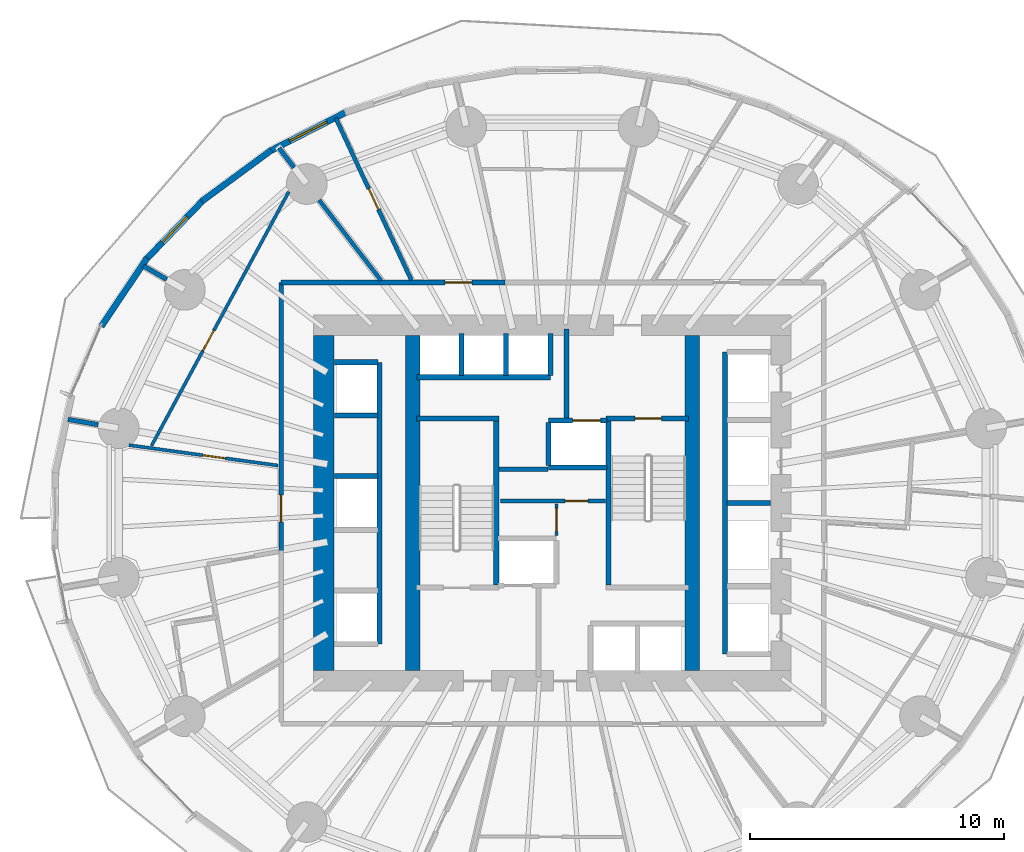
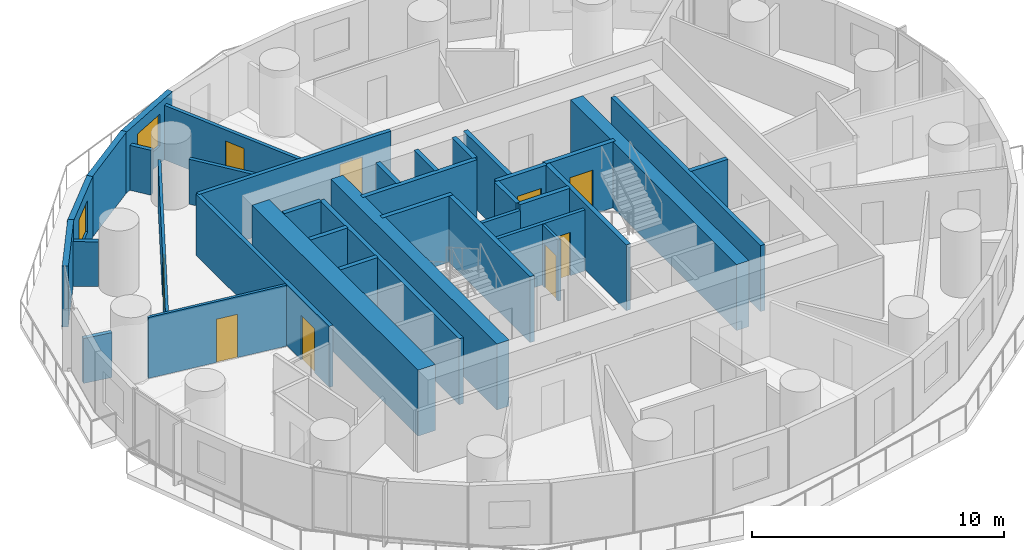
# One storey, part 8 of 14: 37 walls, 9 doors, 2 windows, 11 openings.
"""IFC4 building model written with IfcOpenShell, lengths in metres."""

from ifc_helpers import new_model, si_unit, direction, frame, frame_2d, origin, place, context, subcontext, project, spatial, rectangle, extrude, material, layer, layer_set, type_object, element, fill, save


model = new_model("IFC4")

# Units and contexts
model_context = context("Model", 3, precision=1e-05, world=origin(), true_north=direction((0.0, 1.0)))
body_context = subcontext(model_context, "Body", "Model", "MODEL_VIEW")
ifc_project = project(units=[si_unit("LENGTHUNIT", "METRE"), si_unit("AREAUNIT", "SQUARE_METRE"), si_unit("VOLUMEUNIT", "CUBIC_METRE"), si_unit("PLANEANGLEUNIT", "RADIAN"), si_unit("MASSUNIT", "GRAM", prefix="KILO")], contexts=[model_context])

# Site, building, storey
site_placement = place(None, origin())
site = spatial("IfcSite", under=ifc_project, at=site_placement, CompositionType="ELEMENT")
building_placement = place(site_placement, origin())
building = spatial("IfcBuilding", under=site, at=building_placement, Name="Veldorim Arch Residences", CompositionType="ELEMENT")
storey_placement = place(building_placement, frame((0.0, 0.0, 31.199951171875)))
storey = spatial("IfcBuildingStorey", under=building, at=storey_placement, Name="L08", CompositionType="ELEMENT", Elevation=31.199951171875)

# Wall, opening, door
ifc_material_1 = material(Name="Acoustic Gypsum Board", Category="gypsum")
ifc_layer_1 = layer(ifc_material_1, 0.125, Name="Acoustic Stud Room Partition Wall 125")
ifc_layer_set_1 = layer_set([ifc_layer_1], Name="Acoustic Gypsum Board")
wall_type_1 = type_object("IfcWallType", Name="Acoustic Stud Room Partition Wall 125", PredefinedType="PARTITIONING", material=ifc_layer_set_1)
wall_1_placement = place(storey_placement, frame((32.159912109375, 22.719970703125, 0.0), z_axis=(0.0, 0.0, 1.0), x_axis=(0.0, 1.0, 0.0)))
wall_1 = element("IfcWall", 1, at=wall_1_placement, inside=storey, type_object=wall_type_1, Name="L08 interior wall WL-CA-L08-2", PredefinedType="PARTITIONING", context=body_context, shape_type="SweptSolid", body=[
    extrude(rectangle(XDim=1.25, YDim=0.125, at=frame_2d((0.625, 0.0))), origin(), (0.0, 0.0, 1.0), 2.955078125),
])
opening_1_placement = place(wall_1_placement, frame((0.169921875, 0.0, 0.0)))
opening_1 = element("IfcOpeningElement", 2, at=opening_1_placement, cuts=wall_1, Name="Opening DR-SVC", PredefinedType="OPENING", context=body_context, shape_type="SweptSolid", body=[
    extrude(rectangle(XDim=0.89990234375, YDim=2.10009765625, at=frame_2d((0.449951171875, 1.050048828125))), frame((0.0, 0.072509765625, 0.0), z_axis=(0.0, -1.0, 0.0), x_axis=(1.0, 0.0, 0.0)), (0.0, 0.0, 1.0), 0.14501953125),
])
ifc_material_2 = material(Name="Fire-Rated Steel", Category="steel")
door_type_1 = type_object("IfcDoorType", Name="Riser, Shelter & Plant Room Rated Steel Door 900x2100", OperationType="SINGLE_SWING_LEFT", PredefinedType="DOOR", material=ifc_material_2)
door_1_placement = place(opening_1_placement, origin())
door_1 = element("IfcDoor", 3, at=door_1_placement, inside=storey, type_object=door_type_1, Name="L08 interior door DR-L08-CA2", OperationType="SINGLE_SWING_RIGHT", OverallHeight=2.10009765625, OverallWidth=0.89990234375, PredefinedType="DOOR", context=body_context, shape_type="SweptSolid", body=[
    extrude(rectangle(XDim=0.89990234375, YDim=2.10009765625, at=frame_2d((0.449951171875, 1.050048828125))), frame((0.0, 0.02490234375, 0.0), z_axis=(0.0, -1.0, 0.0), x_axis=(1.0, 0.0, 0.0)), (0.0, 0.0, 1.0), 0.050048828125),
])
fill(opening_1, door_1)

wall_2_placement = place(storey_placement, frame((15.330322265625, 26.280029296875, 0.0), z_axis=(0.0, 0.0, 1.0), x_axis=(0.990775681502, -0.135512172681, 0.0)))
wall_2 = element("IfcWall", 4, at=wall_2_placement, inside=storey, type_object=wall_type_1, Name="L08 interior wall WL-RES-L08-034", PredefinedType="PARTITIONING", context=body_context, shape_type="SweptSolid", body=[
    extrude(rectangle(XDim=5.925537109375, YDim=0.125, at=frame_2d((2.962890625, 0.0))), origin(), (0.0, 0.0, 1.0), 2.955078125),
])
opening_2_placement = place(wall_2_placement, frame((2.928955078125, 0.0, 0.0)))
opening_2 = element("IfcOpeningElement", 5, at=opening_2_placement, cuts=wall_2, Name="Opening DR-INT", PredefinedType="OPENING", context=body_context, shape_type="SweptSolid", body=[
    extrude(rectangle(XDim=0.89990234375, YDim=2.10009765625, at=frame_2d((0.449951171875, 1.050048828125))), frame((0.0, 0.072509765625, 0.0), z_axis=(0.0, -1.0, 0.0), x_axis=(1.0, 0.0, 0.0)), (0.0, 0.0, 1.0), 0.14501953125),
])
ifc_material_3 = material(Name="Engineered Timber", Category="wood")
door_type_2 = type_object("IfcDoorType", Name="Apartment Internal Room Timber Door 900x2100", OperationType="SINGLE_SWING_LEFT", PredefinedType="DOOR", material=ifc_material_3)
door_2_placement = place(opening_2_placement, origin())
door_2 = element("IfcDoor", 6, at=door_2_placement, inside=storey, type_object=door_type_2, Name="L08 interior door DR-RES-L08-024", OperationType="SINGLE_SWING_RIGHT", OverallHeight=2.10009765625, OverallWidth=0.89990234375, PredefinedType="DOOR", context=body_context, shape_type="SweptSolid", body=[
    extrude(rectangle(XDim=0.89990234375, YDim=2.10009765625, at=frame_2d((0.449951171875, 1.050048828125))), frame((0.0, 0.02490234375, 0.0), z_axis=(0.0, -1.0, 0.0), x_axis=(1.0, 0.0, 0.0)), (0.0, 0.0, 1.0), 0.050048828125),
])
fill(opening_2, door_2)

wall_3_placement = place(storey_placement, frame((16.22216796875, 26.25244140625, 0.0), z_axis=(0.0, 0.0, 1.0), x_axis=(0.475374660533, 0.879783457519, 0.0)))
wall_3 = element("IfcWall", 7, at=wall_3_placement, inside=storey, type_object=wall_type_1, Name="L08 interior wall WL-RES-L08-037", PredefinedType="PARTITIONING", context=body_context, shape_type="SweptSolid", body=[
    extrude(rectangle(XDim=11.3701171875, YDim=0.125, at=frame_2d((5.68505859375, 0.0))), origin(), (0.0, 0.0, 1.0), 2.327880859375),
])
opening_3_placement = place(wall_3_placement, frame((4.2548828125, 0.0, 0.0)))
opening_3 = element("IfcOpeningElement", 8, at=opening_3_placement, cuts=wall_3, Name="Opening DR-INT", PredefinedType="OPENING", context=body_context, shape_type="SweptSolid", body=[
    extrude(rectangle(XDim=0.89990234375, YDim=2.10009765625, at=frame_2d((0.449951171875, 1.050048828125))), frame((0.0, 0.072509765625, 0.0), z_axis=(0.0, -1.0, 0.0), x_axis=(1.0, 0.0, 0.0)), (0.0, 0.0, 1.0), 0.14501953125),
])
door_3_placement = place(opening_3_placement, origin())
door_3 = element("IfcDoor", 9, at=door_3_placement, inside=storey, type_object=door_type_2, Name="L08 interior door DR-RES-L08-025", OperationType="SINGLE_SWING_LEFT", OverallHeight=2.10009765625, OverallWidth=0.89990234375, PredefinedType="DOOR", context=body_context, shape_type="SweptSolid", body=[
    extrude(rectangle(XDim=0.89990234375, YDim=2.10009765625, at=frame_2d((0.449951171875, 1.050048828125))), frame((0.0, 0.02490234375, 0.0), z_axis=(0.0, -1.0, 0.0), x_axis=(1.0, 0.0, 0.0)), (0.0, 0.0, 1.0), 0.050048828125),
])
fill(opening_3, door_3)

# Walls
ifc_material_4 = material(Name="Lightweight Masonry Block & Gypsum", Category="masonry")
ifc_layer_2 = layer(ifc_material_4, 0.179931640625, Name="Compartment & Corridor Fire-Rated Party Wall 180")
ifc_layer_set_2 = layer_set([ifc_layer_2], Name="Lightweight Masonry Block & Gypsum")
wall_type_2 = type_object("IfcWallType", Name="Compartment & Corridor Fire-Rated Party Wall 180", PredefinedType="PARTITIONING", material=ifc_layer_set_2)
wall_4_placement = place(storey_placement, frame((21.832763671875, 37.204833984375, 0.0), z_axis=(0.0, 0.0, 1.0), x_axis=(-0.609953343804, 0.792437327732, 0.0)))
element("IfcWall", 10, at=wall_4_placement, inside=storey, type_object=wall_type_2, Name="L08 interior wall WL-PIER-L08-06", PredefinedType="PARTITIONING", context=body_context, shape_type="SweptSolid", body=[
    extrude(rectangle(XDim=0.97265625, YDim=0.179931640625, at=frame_2d((0.486328125, 0.0))), origin(), (0.0, 0.0, 1.0), 2.17822265625),
])
wall_5_placement = place(storey_placement, frame((16.822998046875, 32.80029296875, 0.0), z_axis=(0.0, 0.0, 1.0), x_axis=(-0.865001274409, 0.501769663562, 0.0)))
element("IfcWall", 11, at=wall_5_placement, inside=storey, type_object=wall_type_2, Name="L08 interior wall WL-PIER-L08-07", PredefinedType="PARTITIONING", context=body_context, shape_type="SweptSolid", body=[
    extrude(rectangle(XDim=1.062744140625, YDim=0.179931640625, at=frame_2d((0.53125, 0.0))), origin(), (0.0, 0.0, 1.0), 2.17822265625),
])
wall_6_placement = place(storey_placement, frame((14.126220703125, 27.08544921875, 0.0), z_axis=(0.0, 0.0, 1.0), x_axis=(-0.985412344637, 0.170183756676, 0.0)))
element("IfcWall", 12, at=wall_6_placement, inside=storey, type_object=wall_type_2, Name="L08 interior wall WL-PIER-L08-08", PredefinedType="PARTITIONING", context=body_context, shape_type="SweptSolid", body=[
    extrude(rectangle(XDim=1.210693359375, YDim=0.179931640625, at=frame_2d((0.60546875, 0.0))), origin(), (0.0, 0.0, 1.0), 2.17822265625),
])

# Wall, opening, door
wall_7_placement = place(storey_placement, frame((21.320068359375, 32.679931640625, 0.0), z_axis=(0.0, 0.0, 1.0), x_axis=(1.0, 0.0, 0.0)))
wall_7 = element("IfcWall", 13, at=wall_7_placement, inside=storey, type_object=wall_type_2, Name="L08 interior wall WL-RES-L08-006", PredefinedType="PARTITIONING", context=body_context, shape_type="SweptSolid", body=[
    extrude(rectangle(XDim=8.822509765625, YDim=0.179931640625, at=frame_2d((4.4111328125, 0.0))), origin(), (0.0, 0.0, 1.0), 2.955078125),
])
opening_4_placement = place(wall_7_placement, frame((6.461669921875, 0.0, 0.0)))
opening_4 = element("IfcOpeningElement", 14, at=opening_4_placement, cuts=wall_7, Name="Opening DR-FLT", PredefinedType="OPENING", context=body_context, shape_type="SweptSolid", body=[
    extrude(rectangle(XDim=1.050048828125, YDim=2.14990234375, at=frame_2d((0.52490234375, 1.074951171875))), frame((0.0, 0.099853515625, 0.0), z_axis=(0.0, -1.0, 0.0), x_axis=(1.0, 0.0, 0.0)), (0.0, 0.0, 1.0), 0.199951171875),
])
ifc_material_5 = material(Name="Fire-Rated Timber", Category="wood")
door_type_3 = type_object("IfcDoorType", Name="Apartment Entrance Solid-Core Fire Door 1050x2150", OperationType="SINGLE_SWING_LEFT", PredefinedType="DOOR", material=ifc_material_5)
door_4_placement = place(opening_4_placement, origin())
door_4 = element("IfcDoor", 15, at=door_4_placement, inside=storey, type_object=door_type_3, Name="L08 interior door DR-RES-L08-018", OperationType="SINGLE_SWING_RIGHT", OverallHeight=2.14990234375, OverallWidth=1.050048828125, PredefinedType="DOOR", context=body_context, shape_type="SweptSolid", body=[
    extrude(rectangle(XDim=1.050048828125, YDim=2.14990234375, at=frame_2d((0.52490234375, 1.074951171875))), frame((0.0, 0.02490234375, 0.0), z_axis=(0.0, -1.0, 0.0), x_axis=(1.0, 0.0, 0.0)), (0.0, 0.0, 1.0), 0.050048828125),
])
fill(opening_4, door_4)

wall_8_placement = place(storey_placement, frame((21.320068359375, 22.090087890625, 0.0), z_axis=(0.0, 0.0, 1.0), x_axis=(0.0, 1.0, 0.0)))
wall_8 = element("IfcWall", 16, at=wall_8_placement, inside=storey, type_object=wall_type_2, Name="L08 interior wall WL-RES-L08-007", PredefinedType="PARTITIONING", context=body_context, shape_type="SweptSolid", body=[
    extrude(rectangle(XDim=10.58984375, YDim=0.179931640625, at=frame_2d((5.294921875, 0.0))), origin(), (0.0, 0.0, 1.0), 2.955078125),
])
opening_5_placement = place(wall_8_placement, frame((1.17041015625, 0.0, 0.0)))
opening_5 = element("IfcOpeningElement", 17, at=opening_5_placement, cuts=wall_8, Name="Opening DR-FLT", PredefinedType="OPENING", context=body_context, shape_type="SweptSolid", body=[
    extrude(rectangle(XDim=1.050048828125, YDim=2.14990234375, at=frame_2d((0.52490234375, 1.074951171875))), frame((0.0, 0.099853515625, 0.0), z_axis=(0.0, -1.0, 0.0), x_axis=(1.0, 0.0, 0.0)), (0.0, 0.0, 1.0), 0.199951171875),
])
door_5_placement = place(opening_5_placement, origin())
door_5 = element("IfcDoor", 18, at=door_5_placement, inside=storey, type_object=door_type_3, Name="L08 interior door DR-RES-L08-022", OperationType="SINGLE_SWING_RIGHT", OverallHeight=2.14990234375, OverallWidth=1.050048828125, PredefinedType="DOOR", context=body_context, shape_type="SweptSolid", body=[
    extrude(rectangle(XDim=1.050048828125, YDim=2.14990234375, at=frame_2d((0.52490234375, 1.074951171875))), frame((0.0, 0.02490234375, 0.0), z_axis=(0.0, -1.0, 0.0), x_axis=(1.0, 0.0, 0.0)), (0.0, 0.0, 1.0), 0.050048828125),
])
fill(opening_5, door_5)

# Walls
ifc_material_6 = material(Name="Concrete C50/60", Category="concrete")
ifc_layer_3 = layer(ifc_material_6, 0.199951171875, Name="Core Stair & Lift Shaft Enclosure Wall 200")
ifc_layer_set_3 = layer_set([ifc_layer_3], Name="Concrete C50/60")
wall_type_3 = type_object("IfcWallType", Name="Core Stair & Lift Shaft Enclosure Wall 200", PredefinedType="SHEAR", material=ifc_layer_set_3)
wall_9_placement = place(storey_placement, frame((29.7900390625, 20.780029296875, 0.0), z_axis=(0.0, 0.0, 1.0), x_axis=(0.0, 1.0, 0.0)))
element("IfcWall", 19, at=wall_9_placement, inside=storey, type_object=wall_type_3, Name="L08 shaft wall WL-SHF-L08-ST1-E", PredefinedType="SHEAR", context=body_context, shape_type="SweptSolid", body=[
    extrude(rectangle(XDim=6.43994140625, YDim=0.199951171875, at=frame_2d((3.219970703125, 0.0))), origin(), (0.0, 0.0, 1.0), 3.199951171875),
])
wall_10_placement = place(storey_placement, frame((26.64990234375, 27.330078125, 0.0), z_axis=(0.0, 0.0, 1.0), x_axis=(1.0, 0.0, 0.0)))
element("IfcWall", 20, at=wall_10_placement, inside=storey, type_object=wall_type_3, Name="L08 shaft wall WL-SHF-L08-ST1-N", PredefinedType="SHEAR", context=body_context, shape_type="SweptSolid", body=[
    extrude(rectangle(XDim=3.239990234375, YDim=0.199951171875, at=frame_2d((1.6201171875, 0.0))), origin(), (0.0, 0.0, 1.0), 3.199951171875),
])
wall_11_placement = place(storey_placement, frame((34.2099609375, 20.780029296875, 0.0), z_axis=(0.0, 0.0, 1.0), x_axis=(0.0, 1.0, 0.0)))
element("IfcWall", 21, at=wall_11_placement, inside=storey, type_object=wall_type_3, Name="L08 shaft wall WL-SHF-L08-ST2-W", PredefinedType="SHEAR", context=body_context, shape_type="SweptSolid", body=[
    extrude(rectangle(XDim=6.43994140625, YDim=0.199951171875, at=frame_2d((3.219970703125, 0.0))), origin(), (0.0, 0.0, 1.0), 3.199951171875),
])

# Wall, opening, door
wall_12_placement = place(storey_placement, frame((34.110107421875, 27.330078125, 0.0), z_axis=(0.0, 0.0, 1.0), x_axis=(1.0, 0.0, 0.0)))
wall_12 = element("IfcWall", 22, at=wall_12_placement, inside=storey, type_object=wall_type_3, Name="L08 shaft wall WL-SHF-L08-ST2-N", PredefinedType="SHEAR", context=body_context, shape_type="SweptSolid", body=[
    extrude(rectangle(XDim=3.239990234375, YDim=0.199951171875, at=frame_2d((1.6201171875, 0.0))), origin(), (0.0, 0.0, 1.0), 3.199951171875),
])
opening_6_placement = place(wall_12_placement, frame((1.135009765625, 0.0, 0.0)))
opening_6 = element("IfcOpeningElement", 23, at=opening_6_placement, cuts=wall_12, Name="Opening DR-ST", PredefinedType="OPENING", context=body_context, shape_type="SweptSolid", body=[
    extrude(rectangle(XDim=1.050048828125, YDim=2.14990234375, at=frame_2d((0.52490234375, 1.074951171875))), frame((0.0, 0.10986328125, 0.0), z_axis=(0.0, -1.0, 0.0), x_axis=(1.0, 0.0, 0.0)), (0.0, 0.0, 1.0), 0.219970703125),
])
ifc_material_7 = material(Name="Fire-Rated Steel", Category="steel")
door_type_4 = type_object("IfcDoorType", Name="Exit Staircase Self-Closing Fire Door 1050x2150", OperationType="SINGLE_SWING_LEFT", PredefinedType="DOOR", material=ifc_material_7)
door_6_placement = place(opening_6_placement, origin())
door_6 = element("IfcDoor", 24, at=door_6_placement, inside=storey, type_object=door_type_4, Name="L08 interior door DR-L08-ST2", OperationType="SINGLE_SWING_RIGHT", OverallHeight=2.14990234375, OverallWidth=1.050048828125, PredefinedType="DOOR", context=body_context, shape_type="SweptSolid", body=[
    extrude(rectangle(XDim=1.050048828125, YDim=2.14990234375, at=frame_2d((0.52490234375, 1.074951171875))), frame((0.0, 0.02490234375, 0.0), z_axis=(0.0, -1.0, 0.0), x_axis=(1.0, 0.0, 0.0)), (0.0, 0.0, 1.0), 0.050048828125),
])
fill(opening_6, door_6)

# Wall
wall_13_placement = place(storey_placement, frame((32.550048828125, 27.35009765625, 0.0), z_axis=(0.0, 0.0, 1.0), x_axis=(0.0, 1.0, 0.0)))
element("IfcWall", 25, at=wall_13_placement, inside=storey, type_object=wall_type_3, Name="L08 shaft wall WL-FFL2-L08-W", PredefinedType="SHEAR", context=body_context, shape_type="SweptSolid", body=[
    extrude(rectangle(XDim=3.5, YDim=0.199951171875, at=frame_2d((1.75, 0.0))), origin(), (0.0, 0.0, 1.0), 3.199951171875),
])

# Wall, opening, door
wall_14_placement = place(storey_placement, frame((31.85009765625, 27.25, 0.0), z_axis=(0.0, 0.0, 1.0), x_axis=(1.0, 0.0, 0.0)))
wall_14 = element("IfcWall", 26, at=wall_14_placement, inside=storey, type_object=wall_type_3, Name="L08 shaft wall WL-FL02-L08-N", PredefinedType="SHEAR", context=body_context, shape_type="SweptSolid", body=[
    extrude(rectangle(XDim=2.2998046875, YDim=0.199951171875, at=frame_2d((1.14990234375, 0.0))), origin(), (0.0, 0.0, 1.0), 3.199951171875),
])
opening_7_placement = place(wall_14_placement, frame((0.949951171875, 0.0, 0.0)))
opening_7 = element("IfcOpeningElement", 27, at=opening_7_placement, cuts=wall_14, Name="Opening LD-FF", PredefinedType="OPENING", context=body_context, shape_type="SweptSolid", body=[
    extrude(rectangle(XDim=1.10009765625, YDim=2.14990234375, at=frame_2d((0.550048828125, 1.074951171875))), frame((0.0, 0.10986328125, 0.0), z_axis=(0.0, -1.0, 0.0), x_axis=(1.0, 0.0, 0.0)), (0.0, 0.0, 1.0), 0.219970703125),
])
ifc_material_8 = material(Name="Stainless Steel", Category="steel")
door_type_5 = type_object("IfcDoorType", Name="Firefighting Lift Bi-Parting Sliding Landing Door 1100x2150", OperationType="DOUBLE_DOOR_SLIDING", PredefinedType="DOOR", material=ifc_material_8)
door_7_placement = place(opening_7_placement, origin())
door_7 = element("IfcDoor", 28, at=door_7_placement, inside=storey, type_object=door_type_5, Name="L08 lift landing door LD-L08-FL02", OperationType="DOUBLE_DOOR_SLIDING", OverallHeight=2.14990234375, OverallWidth=1.10009765625, PredefinedType="DOOR", context=body_context, shape_type="SweptSolid", body=[
    extrude(rectangle(XDim=1.10009765625, YDim=2.14990234375, at=frame_2d((0.550048828125, 1.074951171875))), frame((0.0, 0.02490234375, 0.0), z_axis=(0.0, -1.0, 0.0), x_axis=(1.0, 0.0, 0.0)), (0.0, 0.0, 1.0), 0.050048828125),
])
fill(opening_7, door_7)

# Walls
wall_15_placement = place(storey_placement, frame((31.85009765625, 25.39990234375, 0.0), z_axis=(0.0, 0.0, 1.0), x_axis=(1.0, 0.0, 0.0)))
element("IfcWall", 29, at=wall_15_placement, inside=storey, type_object=wall_type_3, Name="L08 shaft wall WL-FL02-L08-S", PredefinedType="SHEAR", context=body_context, shape_type="SweptSolid", body=[
    extrude(rectangle(XDim=2.2998046875, YDim=0.199951171875, at=frame_2d((1.14990234375, 0.0))), origin(), (0.0, 0.0, 1.0), 3.199951171875),
])
wall_16_placement = place(storey_placement, frame((31.85009765625, 25.469970703125, 0.0), z_axis=(0.0, 0.0, 1.0), x_axis=(0.0, 1.0, 0.0)))
element("IfcWall", 30, at=wall_16_placement, inside=storey, type_object=wall_type_3, Name="L08 shaft wall WL-FL02-L08-W", PredefinedType="SHEAR", context=body_context, shape_type="SweptSolid", body=[
    extrude(rectangle(XDim=1.7099609375, YDim=0.199951171875, at=frame_2d((0.85498046875, 0.0))), origin(), (0.0, 0.0, 1.0), 3.199951171875),
])
wall_17_placement = place(storey_placement, frame((38.800048828125, 18.06005859375, 0.0), z_axis=(0.0, 0.0, 1.0), x_axis=(0.0, 1.0, 0.0)))
element("IfcWall", 31, at=wall_17_placement, inside=storey, type_object=wall_type_3, Name="L08 shaft wall WL-B1-L08-W", PredefinedType="SHEAR", context=body_context, shape_type="SweptSolid", body=[
    extrude(rectangle(XDim=11.8798828125, YDim=0.199951171875, at=frame_2d((5.93994140625, 0.0))), origin(), (0.0, 0.0, 1.0), 3.199951171875),
])
wall_18_placement = place(storey_placement, frame((38.8701171875, 24.0, 0.0), z_axis=(0.0, 0.0, 1.0), x_axis=(1.0, 0.0, 0.0)))
element("IfcWall", 32, at=wall_18_placement, inside=storey, type_object=wall_type_3, Name="L08 shaft wall WL-B1-L08-D2", PredefinedType="SHEAR", context=body_context, shape_type="SweptSolid", body=[
    extrude(rectangle(XDim=1.7099609375, YDim=0.199951171875, at=frame_2d((0.85498046875, 0.0))), origin(), (0.0, 0.0, 1.0), 3.199951171875),
])
wall_19_placement = place(storey_placement, frame((25.199951171875, 18.4599609375, 0.0), z_axis=(0.0, 0.0, 1.0), x_axis=(0.0, 1.0, 0.0)))
element("IfcWall", 33, at=wall_19_placement, inside=storey, type_object=wall_type_3, Name="L08 shaft wall WL-B2-L08-E", PredefinedType="SHEAR", context=body_context, shape_type="SweptSolid", body=[
    extrude(rectangle(XDim=11.080078125, YDim=0.199951171875, at=frame_2d((5.5400390625, 0.0))), origin(), (0.0, 0.0, 1.0), 3.199951171875),
])
for number, where, z_axis, x_axis, name in (
    (34, (23.419921875, 29.5400390625, 0.0), (0.0, 0.0, 1.0), (1.0, 0.0, 0.0), "L08 shaft wall WL-B2-L08-N"),
    (35, (23.419921875, 25.06005859375, 0.0), (0.0, 0.0, 1.0), (1.0, 0.0, 0.0), "L08 shaft wall WL-B2-L08-D2A"),
    (36, (23.419921875, 27.43994140625, 0.0), (0.0, 0.0, 1.0), (1.0, 0.0, 0.0), "L08 shaft wall WL-B2-L08-D2B"),
):
    element("IfcWall", number, at=place(storey_placement, frame(where, z_axis=z_axis, x_axis=x_axis)), inside=storey, type_object=wall_type_3, Name=name, PredefinedType="SHEAR", context=body_context, shape_type="SweptSolid", body=[
        extrude(rectangle(XDim=1.7099609375, YDim=0.199951171875, at=frame_2d((0.85498046875, 0.0))), origin(), (0.0, 0.0, 1.0), 3.199951171875),
    ])
wall_20_placement = place(storey_placement, frame((26.679931640625, 28.949951171875, 0.0), z_axis=(0.0, 0.0, 1.0), x_axis=(1.0, 0.0, 0.0)))
element("IfcWall", 37, at=wall_20_placement, inside=storey, type_object=wall_type_3, Name="L08 shaft wall WL-B3-L08-S", PredefinedType="SHEAR", context=body_context, shape_type="SweptSolid", body=[
    extrude(rectangle(XDim=5.239990234375, YDim=0.199951171875, at=frame_2d((2.6201171875, 0.0))), origin(), (0.0, 0.0, 1.0), 3.199951171875),
])
for number, where, z_axis, x_axis, name in (
    (38, (31.919921875, 29.02001953125, 0.0), (0.0, 0.0, 1.0), (0.0, 1.0, 0.0), "L08 shaft wall WL-B3-L08-E"),
    (39, (28.425048828125, 29.02001953125, 0.0), (0.0, 0.0, 1.0), (0.0, 1.0, 0.0), "L08 shaft wall WL-B3-L08-D1"),
    (40, (30.175048828125, 29.02001953125, 0.0), (0.0, 0.0, 1.0), (0.0, 1.0, 0.0), "L08 shaft wall WL-B3-L08-D2"),
):
    element("IfcWall", number, at=place(storey_placement, frame(where, z_axis=z_axis, x_axis=x_axis)), inside=storey, type_object=wall_type_3, Name=name, PredefinedType="SHEAR", context=body_context, shape_type="SweptSolid", body=[
        extrude(rectangle(XDim=1.659912109375, YDim=0.199951171875, at=frame_2d((0.830078125, 0.0))), origin(), (0.0, 0.0, 1.0), 3.199951171875),
    ])
ifc_material_9 = material(Name="Concrete C60/75", Category="concrete")
ifc_layer_4 = layer(ifc_material_9, 0.56005859375, Name="Internal Core Shear Web Wall 560")
ifc_layer_set_4 = layer_set([ifc_layer_4], Name="Concrete C60/75")
wall_type_4 = type_object("IfcWallType", Name="Internal Core Shear Web Wall 560", PredefinedType="SHEAR", material=ifc_layer_set_4)
for number, where, z_axis, x_axis, name in (
    (41, (26.5, 17.39990234375, 0.0), (0.0, 0.0, 1.0), (0.0, 1.0, 0.0), "L08 core west internal shear web"),
    (42, (37.5, 17.39990234375, 0.0), (0.0, 0.0, 1.0), (0.0, 1.0, 0.0), "L08 core east internal shear web"),
):
    element("IfcWall", number, at=place(storey_placement, frame(where, z_axis=z_axis, x_axis=x_axis)), inside=storey, type_object=wall_type_4, Name=name, PredefinedType="SHEAR", context=body_context, shape_type="SweptSolid", body=[
        extrude(rectangle(XDim=13.2001953125, YDim=0.56005859375, at=frame_2d((6.60009765625, 0.0))), origin(), (0.0, 0.0, 1.0), 3.199951171875),
    ])
ifc_material_10 = material(Name="Concrete C60/75", Category="concrete")
ifc_layer_5 = layer(ifc_material_10, 0.800048828125, Name="Lower Central Core Shear Wall 800")
ifc_layer_set_5 = layer_set([ifc_layer_5], Name="Concrete C60/75")
wall_type_5 = type_object("IfcWallType", Name="Lower Central Core Shear Wall 800", PredefinedType="SHEAR", material=ifc_layer_set_5)
wall_21_placement = place(storey_placement, frame((23.0, 17.39990234375, 0.0), z_axis=(0.0, 0.0, 1.0), x_axis=(0.0, 1.0, 0.0)))
element("IfcWall", 43, at=wall_21_placement, inside=storey, type_object=wall_type_5, Name="L08 central core west shear wall", PredefinedType="SHEAR", context=body_context, shape_type="SweptSolid", body=[
    extrude(rectangle(XDim=13.2001953125, YDim=0.800048828125, at=frame_2d((6.60009765625, 0.0))), origin(), (0.0, 0.0, 1.0), 3.199951171875),
])

# Wall, opening, window
ifc_material_11 = material(Name="Precast concrete C40/50", Category="concrete")
ifc_layer_6 = layer(ifc_material_11, 0.25, Name="Tower Terracotta Spandrel & Pier Wall 250")
ifc_layer_set_6 = layer_set([ifc_layer_6], Name="Precast concrete C40/50")
wall_type_6 = type_object("IfcWallType", Name="Tower Terracotta Spandrel & Pier Wall 250", PredefinedType="SOLIDWALL", material=ifc_layer_set_6)
wall_22_placement = place(storey_placement, frame((20.8466796875, 37.83642578125, 0.0), z_axis=(0.0, 0.0, 1.0), x_axis=(0.890260122421, 0.455452428281, 0.0)))
wall_22 = element("IfcWall", 44, at=wall_22_placement, inside=storey, type_object=wall_type_6, Name="L08 terracotta facade wall 12", PredefinedType="SOLIDWALL", context=body_context, shape_type="SweptSolid", body=[
    extrude(rectangle(XDim=3.46484375, YDim=0.25, at=frame_2d((1.732421875, 0.0))), origin(), (0.0, 0.0, 1.0), 2.9599609375),
])
opening_8_placement = place(wall_22_placement, frame((0.906982421875, 0.0, 0.85009765625)))
opening_8 = element("IfcOpeningElement", 45, at=opening_8_placement, cuts=wall_22, Name="Opening WN-03", PredefinedType="OPENING", context=body_context, shape_type="SweptSolid", body=[
    extrude(rectangle(XDim=1.64990234375, YDim=1.550048828125, at=frame_2d((0.824951171875, 0.77490234375))), frame((0.0, 0.135009765625, 0.0), z_axis=(0.0, -1.0, 0.0), x_axis=(1.0, 0.0, 0.0)), (0.0, 0.0, 1.0), 0.27001953125),
])
ifc_material_12 = material(Name="Laminated Low-E Glass", Category="glass")
window_type_1 = type_object("IfcWindowType", Name="Residential Wide Window 1650x1550", PartitioningType="SINGLE_PANEL", PredefinedType="WINDOW", material=ifc_material_12)
window_1_placement = place(opening_8_placement, origin())
window_1 = element("IfcWindow", 46, at=window_1_placement, inside=storey, type_object=window_type_1, Name="L08 solar-control facade window 12", OverallHeight=1.550048828125, OverallWidth=1.64990234375, PartitioningType="SINGLE_PANEL", PredefinedType="WINDOW", context=body_context, shape_type="SweptSolid", body=[
    extrude(rectangle(XDim=1.64990234375, YDim=1.550048828125, at=frame_2d((0.824951171875, 0.77490234375))), frame((0.0, 0.030029296875, 0.0), z_axis=(0.0, -1.0, 0.0), x_axis=(1.0, 0.0, 0.0)), (0.0, 0.0, 1.0), 0.06005859375),
])
fill(opening_8, window_1)

# Wall
wall_23_placement = place(storey_placement, frame((18.202392578125, 35.879638671875, 0.0), z_axis=(0.0, 0.0, 1.0), x_axis=(0.805405938507, 0.592723606935, 0.0)))
element("IfcWall", 47, at=wall_23_placement, inside=storey, type_object=wall_type_6, Name="L08 terracotta facade wall 13", PredefinedType="SOLIDWALL", context=body_context, shape_type="SweptSolid", body=[
    extrude(rectangle(XDim=3.39892578125, YDim=0.25, at=frame_2d((1.699462890625, 0.0))), origin(), (0.0, 0.0, 1.0), 2.9599609375),
])

# Wall, opening, window
wall_24_placement = place(storey_placement, frame((15.978515625, 33.5615234375, 0.0), z_axis=(0.0, 0.0, 1.0), x_axis=(0.694392538781, 0.719596416115, 0.0)))
wall_24 = element("IfcWall", 48, at=wall_24_placement, inside=storey, type_object=wall_type_6, Name="L08 terracotta facade wall 14", PredefinedType="SOLIDWALL", context=body_context, shape_type="SweptSolid", body=[
    extrude(rectangle(XDim=3.322509765625, YDim=0.25, at=frame_2d((1.6611328125, 0.0))), origin(), (0.0, 0.0, 1.0), 2.9599609375),
])
opening_9_placement = place(wall_24_placement, frame((0.9609375, 0.0, 0.85009765625)))
opening_9 = element("IfcOpeningElement", 49, at=opening_9_placement, cuts=wall_24, Name="Opening WN-02", PredefinedType="OPENING", context=body_context, shape_type="SweptSolid", body=[
    extrude(rectangle(XDim=1.39990234375, YDim=1.550048828125, at=frame_2d((0.699951171875, 0.77490234375))), frame((0.0, 0.135009765625, 0.0), z_axis=(0.0, -1.0, 0.0), x_axis=(1.0, 0.0, 0.0)), (0.0, 0.0, 1.0), 0.27001953125),
])
ifc_material_13 = material(Name="Laminated Low-E Glass", Category="glass")
window_type_2 = type_object("IfcWindowType", Name="Residential Casement Window 1400x1550", PartitioningType="SINGLE_PANEL", PredefinedType="WINDOW", material=ifc_material_13)
window_2_placement = place(opening_9_placement, origin())
window_2 = element("IfcWindow", 50, at=window_2_placement, inside=storey, type_object=window_type_2, Name="L08 solar-control facade window 14", OverallHeight=1.550048828125, OverallWidth=1.39990234375, PartitioningType="SINGLE_PANEL", PredefinedType="WINDOW", context=body_context, shape_type="SweptSolid", body=[
    extrude(rectangle(XDim=1.39990234375, YDim=1.550048828125, at=frame_2d((0.699951171875, 0.77490234375))), frame((0.0, 0.030029296875, 0.0), z_axis=(0.0, -1.0, 0.0), x_axis=(1.0, 0.0, 0.0)), (0.0, 0.0, 1.0), 0.06005859375),
])
fill(opening_9, window_2)

# Wall
wall_25_placement = place(storey_placement, frame((14.2421875, 30.953369140625, 0.0), z_axis=(0.0, 0.0, 1.0), x_axis=(0.556764929833, 0.83067009872, 0.0)))
element("IfcWall", 51, at=wall_25_placement, inside=storey, type_object=wall_type_6, Name="L08 terracotta facade wall 15", PredefinedType="SOLIDWALL", context=body_context, shape_type="SweptSolid", body=[
    extrude(rectangle(XDim=3.244384765625, YDim=0.25, at=frame_2d((1.6220703125, 0.0))), origin(), (0.0, 0.0, 1.0), 2.9599609375),
])

# Wall, opening, door
ifc_material_14 = material(Name="Moisture-Resistant Gypsum & Stud", Category="gypsum")
ifc_layer_7 = layer(ifc_material_14, 0.159912109375, Name="Wet-Area Moisture-Resistant Plumbing Wall 160")
ifc_layer_set_7 = layer_set([ifc_layer_7], Name="Moisture-Resistant Gypsum & Stud")
wall_type_7 = type_object("IfcWallType", Name="Wet-Area Moisture-Resistant Plumbing Wall 160", PredefinedType="PLUMBINGWALL", material=ifc_layer_set_7)
wall_26_placement = place(storey_placement, frame((29.949951171875, 24.080078125, 0.0), z_axis=(0.0, 0.0, 1.0), x_axis=(1.0, 0.0, 0.0)))
wall_26 = element("IfcWall", 52, at=wall_26_placement, inside=storey, type_object=wall_type_7, Name="L08 interior wall WL-CA-L08-1", PredefinedType="PLUMBINGWALL", context=body_context, shape_type="SweptSolid", body=[
    extrude(rectangle(XDim=4.130126953125, YDim=0.159912109375, at=frame_2d((2.06494140625, 0.0))), origin(), (0.0, 0.0, 1.0), 2.955078125),
])
opening_10_placement = place(wall_26_placement, frame((2.550048828125, 0.0, 0.0)))
opening_10 = element("IfcOpeningElement", 53, at=opening_10_placement, cuts=wall_26, Name="Opening DR-WC", PredefinedType="OPENING", context=body_context, shape_type="SweptSolid", body=[
    extrude(rectangle(XDim=0.89990234375, YDim=2.10009765625, at=frame_2d((0.449951171875, 1.050048828125))), frame((0.0, 0.08984375, 0.0), z_axis=(0.0, -1.0, 0.0), x_axis=(1.0, 0.0, 0.0)), (0.0, 0.0, 1.0), 0.179931640625),
])
ifc_material_15 = material(Name="Laminate Timber", Category="wood")
door_type_6 = type_object("IfcDoorType", Name="Bathroom & Accessible WC Moisture-Sealed Door 900x2100", OperationType="SINGLE_SWING_LEFT", PredefinedType="DOOR", material=ifc_material_15)
door_8_placement = place(opening_10_placement, origin())
door_8 = element("IfcDoor", 54, at=door_8_placement, inside=storey, type_object=door_type_6, Name="L08 interior door DR-L08-CA1", OperationType="SINGLE_SWING_LEFT", OverallHeight=2.10009765625, OverallWidth=0.89990234375, PredefinedType="DOOR", context=body_context, shape_type="SweptSolid", body=[
    extrude(rectangle(XDim=0.89990234375, YDim=2.10009765625, at=frame_2d((0.449951171875, 1.050048828125))), frame((0.0, 0.02490234375, 0.0), z_axis=(0.0, -1.0, 0.0), x_axis=(1.0, 0.0, 0.0)), (0.0, 0.0, 1.0), 0.050048828125),
])
fill(opening_10, door_8)

# Wall
wall_27_placement = place(storey_placement, frame((29.889892578125, 25.330078125, 0.0), z_axis=(0.0, 0.0, 1.0), x_axis=(1.0, 0.0, 0.0)))
element("IfcWall", 55, at=wall_27_placement, inside=storey, type_object=wall_type_7, Name="L08 interior wall WL-CA-L08-N", PredefinedType="PLUMBINGWALL", context=body_context, shape_type="SweptSolid", body=[
    extrude(rectangle(XDim=1.940185546875, YDim=0.159912109375, at=frame_2d((0.97021484375, 0.0))), origin(), (0.0, 0.0, 1.0), 2.955078125),
])

# Wall, opening, door
wall_28_placement = place(storey_placement, frame((26.450439453125, 32.7705078125, 0.0), z_axis=(0.0, 0.0, 1.0), x_axis=(-0.422745211231, 0.906248578692, 0.0)))
wall_28 = element("IfcWall", 56, at=wall_28_placement, inside=storey, type_object=wall_type_7, Name="L08 interior wall WL-RES-L08-028", PredefinedType="PLUMBINGWALL", context=body_context, shape_type="SweptSolid", body=[
    extrude(rectangle(XDim=7.052001953125, YDim=0.159912109375, at=frame_2d((3.52587890625, 0.0))), origin(), (0.0, 0.0, 1.0), 2.641357421875),
])
opening_11_placement = place(wall_28_placement, frame((3.075927734375, 0.0, 0.0)))
opening_11 = element("IfcOpeningElement", 57, at=opening_11_placement, cuts=wall_28, Name="Opening DR-WC", PredefinedType="OPENING", context=body_context, shape_type="SweptSolid", body=[
    extrude(rectangle(XDim=0.89990234375, YDim=2.10009765625, at=frame_2d((0.449951171875, 1.050048828125))), frame((0.0, 0.08984375, 0.0), z_axis=(0.0, -1.0, 0.0), x_axis=(1.0, 0.0, 0.0)), (0.0, 0.0, 1.0), 0.179931640625),
])
door_9_placement = place(opening_11_placement, origin())
door_9 = element("IfcDoor", 58, at=door_9_placement, inside=storey, type_object=door_type_6, Name="L08 interior door DR-RES-L08-019", OperationType="SINGLE_SWING_LEFT", OverallHeight=2.10009765625, OverallWidth=0.89990234375, PredefinedType="DOOR", context=body_context, shape_type="SweptSolid", body=[
    extrude(rectangle(XDim=0.89990234375, YDim=2.10009765625, at=frame_2d((0.449951171875, 1.050048828125))), frame((0.0, 0.02490234375, 0.0), z_axis=(0.0, -1.0, 0.0), x_axis=(1.0, 0.0, 0.0)), (0.0, 0.0, 1.0), 0.050048828125),
])
fill(opening_11, door_9)

# Wall
wall_29_placement = place(storey_placement, frame((25.255859375, 32.75927734375, 0.0), z_axis=(0.0, 0.0, 1.0), x_axis=(-0.610097434882, 0.792326397358, 0.0)))
element("IfcWall", 59, at=wall_29_placement, inside=storey, type_object=wall_type_7, Name="L08 interior wall WL-RES-L08-030", PredefinedType="PLUMBINGWALL", context=body_context, shape_type="SweptSolid", body=[
    extrude(rectangle(XDim=3.99658203125, YDim=0.159912109375, at=frame_2d((1.998291015625, 0.0))), origin(), (0.0, 0.0, 1.0), 2.17822265625),
])

save(model, "model.ifc")
